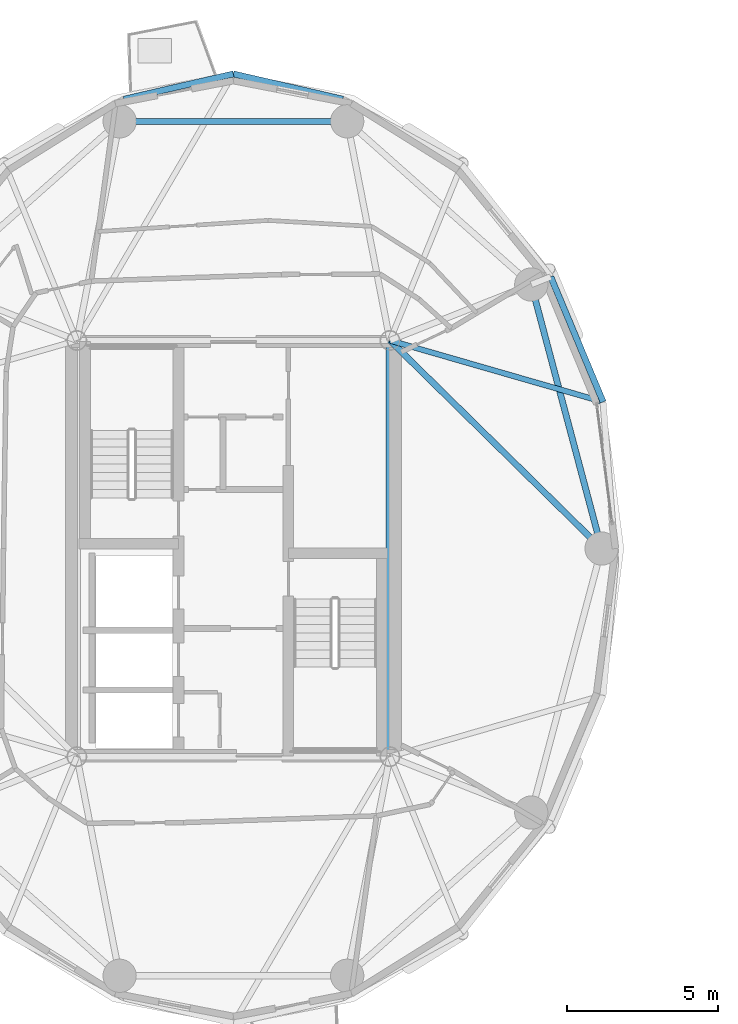
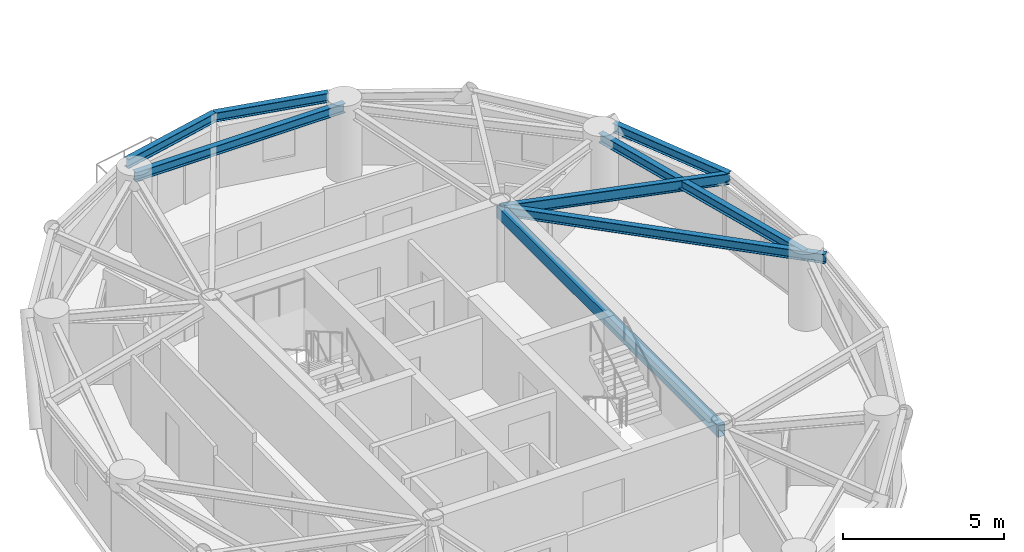
# One storey, part 2 of 16: 8 beams.
"""IFC4 building model written with IfcOpenShell, lengths in metres."""

import ifcopenshell
import ifcopenshell.guid

model = None  # the IFC model being written
_history = None  # IfcOwnerHistory: only IFC2X3 demands one
_inside = {}  # id of a spatial element -> (the spatial element, [elements in it])
_under = {}  # id of a project, library or spatial element -> (it, [spatial elements below it])
_declared = {}  # id of a project -> (the project, [libraries it declares])
_typed = {}  # id of a type object -> (the type object, [elements of that type])
_made_of = {}  # id of a material, layer set ... -> (it, [elements and type objects made of it])


def new_model(schema):
    """Start an empty IFC model of exactly this schema.

    Asked for "IFC4X3", IfcOpenShell would pick the latest addendum, in which some entities
    have other attributes; the version numbers below select the first issue.
    IFC2X3 requires an IfcOwnerHistory on every rooted entity: one is made here for all.
    """
    global model, _history
    if schema == "IFC4X3":
        model = ifcopenshell.file(schema_version=(4, 3, 0, 0))
    else:
        model = ifcopenshell.file(schema=schema)
    _inside.clear()
    _under.clear()
    _declared.clear()
    _typed.clear()
    _made_of.clear()
    _history = None
    if model.schema == "IFC2X3":
        org = make("IfcOrganization", Name="unknown")
        user = make(
            "IfcPersonAndOrganization",
            ThePerson=make("IfcPerson", FamilyName="unknown"),
            TheOrganization=org,
        )
        app = make(
            "IfcApplication",
            ApplicationDeveloper=org,
            Version="unknown",
            ApplicationFullName="unknown",
            ApplicationIdentifier="unknown",
        )
        _history = make(
            "IfcOwnerHistory",
            OwningUser=user,
            OwningApplication=app,
            ChangeAction="ADDED",
            CreationDate=0,
        )
    return model


def make(cls, **values):
    """One entity of the class cls with the attributes given. An attribute that is None is left unset."""
    return model.create_entity(
        cls, **{name: value for name, value in values.items() if value is not None}
    )


def rooted(cls, **values):
    """An entity with a GlobalId (a new one), such as an element, a storey or a relation."""
    return make(cls, GlobalId=ifcopenshell.guid.new(), OwnerHistory=_history, **values)


def si_unit(unit_type, name, prefix=None):
    """IfcSIUnit, for example si_unit("LENGTHUNIT", "METRE", prefix="MILLI")."""
    return make("IfcSIUnit", UnitType=unit_type, Prefix=prefix, Name=name)


def assignment(units):
    """IfcUnitAssignment: the units of a project."""
    return None if units is None else make("IfcUnitAssignment", Units=units)


def point(xyz):
    """IfcCartesianPoint."""
    return None if xyz is None else make("IfcCartesianPoint", Coordinates=xyz)


def direction(xyz):
    """IfcDirection."""
    return None if xyz is None else make("IfcDirection", DirectionRatios=xyz)


def frame(location, z_axis=None, x_axis=None):
    """IfcAxis2Placement3D, a coordinate frame: its origin and axes. An axis left out is left unset."""
    return make(
        "IfcAxis2Placement3D",
        Location=point(location),
        Axis=direction(z_axis),
        RefDirection=direction(x_axis),
    )


def frame_2d(location, x_axis=None):
    """IfcAxis2Placement2D, a coordinate frame in the plane: its origin and x axis."""
    return make(
        "IfcAxis2Placement2D", Location=point(location), RefDirection=direction(x_axis)
    )


def origin():
    """The frame at (0, 0, 0) with its axes left unset."""
    return frame((0.0, 0.0, 0.0))


def origin_2d():
    """The frame at (0, 0) in the plane with its x axis left unset."""
    return frame_2d((0.0, 0.0))


def place(relative_to, where):
    """IfcLocalPlacement: puts the frame where relative to a parent placement (None: the world)."""
    return make(
        "IfcLocalPlacement", PlacementRelTo=relative_to, RelativePlacement=where
    )


def context(
    kind, dimensions, precision=None, world=None, true_north=None, identifier=None
):
    """IfcGeometricRepresentationContext, for example the 3D "Model" context."""
    return make(
        "IfcGeometricRepresentationContext",
        ContextIdentifier=identifier,
        ContextType=kind,
        CoordinateSpaceDimension=dimensions,
        Precision=precision,
        WorldCoordinateSystem=world,
        TrueNorth=true_north,
    )


def subcontext(parent, identifier, kind, view, scale=None):
    """IfcGeometricRepresentationSubContext, for example "Body" below "Model"."""
    return make(
        "IfcGeometricRepresentationSubContext",
        ContextIdentifier=identifier,
        ContextType=kind,
        ParentContext=parent,
        TargetScale=scale,
        TargetView=view,
    )


def project(units=None, contexts=None):
    """IfcProject with its units and contexts."""
    return rooted(
        "IfcProject",
        Name="project",
        RepresentationContexts=contexts,
        UnitsInContext=assignment(units),
    )


def spatial(cls, under=None, at=None, **own):
    """A site, building, storey or space (cls), placed at a placement, below another one or the project."""
    s = rooted(cls, ObjectPlacement=at, **own)
    if under is not None:
        _under.setdefault(under.id(), (under, []))[1].append(s)
    return s


def profile(cls, at=None, kind="AREA", **sizes):
    """A parametric profile (cls). Its sizes go by their IFC names, for example OverallWidth=200.0."""
    return make(cls, ProfileType=kind, Position=at, **sizes)


def hollow_rectangle(**sizes):
    """IfcRectangleHollowProfileDef."""
    return profile("IfcRectangleHollowProfileDef", **sizes)


def i_section(**sizes):
    """IfcIShapeProfileDef."""
    return profile("IfcIShapeProfileDef", **sizes)


def extrude(swept, where, along, depth):
    """IfcExtrudedAreaSolid: the profile swept, set in the frame where, extruded along a direction by depth."""
    return make(
        "IfcExtrudedAreaSolid",
        SweptArea=swept,
        Position=where,
        ExtrudedDirection=direction(along),
        Depth=depth,
    )


def shape(context_of_items, identifier, shape_type, items):
    """IfcShapeRepresentation: the items that make up one representation, for example the "Body"."""
    return make(
        "IfcShapeRepresentation",
        ContextOfItems=context_of_items,
        RepresentationIdentifier=identifier,
        RepresentationType=shape_type,
        Items=items,
    )


def material(Name=None, Category=None):
    """IfcMaterial."""
    return make("IfcMaterial", Name=Name, Category=Category)


def material_profile(
    of_material, cross_section, Name=None, Category=None, Priority=None
):
    """IfcMaterialProfile: a cross section and its material."""
    return make(
        "IfcMaterialProfile",
        Name=Name,
        Material=of_material,
        Profile=cross_section,
        Priority=Priority,
        Category=Category,
    )


def profile_set(profiles, Name=None, composite=None):
    """IfcMaterialProfileSet."""
    return make(
        "IfcMaterialProfileSet",
        Name=Name,
        MaterialProfiles=profiles,
        CompositeProfile=composite,
    )


def made_of(thing, what):
    """Note that an element or type object is made of a material, layer set ...; save() writes the relation."""
    if what is not None:
        _made_of.setdefault(what.id(), (what, []))[1].append(thing)
    return thing


def type_object(cls, material=None, **own):
    """A type object (cls), such as IfcWallType, which elements share."""
    return made_of(rooted(cls, **own), material)


def element(
    cls,
    number,
    at=None,
    inside=None,
    cuts=None,
    type_object=None,
    material=None,
    context=None,
    identifier="Body",
    shape_type=None,
    held_by="IfcProductDefinitionShape",
    body=None,
    shapes=None,
    **own,
):
    """One element of the class cls, such as IfcWall. Its Tag is "e" and its number.

    at: its placement. inside: the storey or other place that contains it. cuts: it is an
    opening in that element (IfcRelVoidsElement). A single representation is given by context,
    identifier, shape_type and body (its items); several are given by shapes. held_by: the class
    of the entity that holds the representations. save() writes the other relations.
    """
    e = rooted(cls, Tag="e%d" % number, ObjectPlacement=at, **own)
    if body is not None:
        shapes = [shape(context, identifier, shape_type, body)]
    if shapes is not None:
        e.Representation = make(held_by, Representations=shapes)
    if inside is not None:
        _inside.setdefault(inside.id(), (inside, []))[1].append(e)
    if cuts is not None:
        rooted(
            "IfcRelVoidsElement", RelatingBuildingElement=cuts, RelatedOpeningElement=e
        )
    if type_object is not None:
        _typed.setdefault(type_object.id(), (type_object, []))[1].append(e)
    return made_of(e, material)


def aggregate(whole, parts):
    """IfcRelAggregates: a whole, such as a stair, and the parts it consists of."""
    return rooted("IfcRelAggregates", RelatingObject=whole, RelatedObjects=parts)


def save(model, path):
    """Write the relations noted so far, then the file.

    IfcRelAggregates (storeys below a building ...), IfcRelContainedInSpatialStructure (elements
    in a storey), IfcRelDefinesByType, IfcRelAssociatesMaterial and IfcRelDeclares: one each for
    every whole, place, type object, material and project.
    """
    for whole, parts in _under.values():
        aggregate(whole, parts)
    for where, things in _inside.values():
        rooted(
            "IfcRelContainedInSpatialStructure",
            RelatedElements=things,
            RelatingStructure=where,
        )
    for kind, things in _typed.values():
        rooted("IfcRelDefinesByType", RelatedObjects=things, RelatingType=kind)
    for what, things in _made_of.values():
        rooted("IfcRelAssociatesMaterial", RelatedObjects=things, RelatingMaterial=what)
    for by, libraries in _declared.values():
        rooted("IfcRelDeclares", RelatingContext=by, RelatedDefinitions=libraries)
    model.write(path)


model = new_model("IFC4")

# Units and contexts
model_context = context("Model", 3, precision=1e-05, world=origin(), true_north=direction((0.0, 1.0)))
body_context = subcontext(model_context, "Body", "Model", "MODEL_VIEW")
ifc_project = project(units=[si_unit("LENGTHUNIT", "METRE"), si_unit("AREAUNIT", "SQUARE_METRE"), si_unit("VOLUMEUNIT", "CUBIC_METRE"), si_unit("PLANEANGLEUNIT", "RADIAN"), si_unit("MASSUNIT", "GRAM", prefix="KILO")], contexts=[model_context])

# Site, building, storey
site_placement = place(None, origin())
site = spatial("IfcSite", under=ifc_project, at=site_placement, CompositionType="ELEMENT")
building_placement = place(site_placement, origin())
building = spatial("IfcBuilding", under=site, at=building_placement, Name="Cununo Teusaquillo Station Towers", CompositionType="ELEMENT")
storey_placement = place(building_placement, frame((0.0, 0.0, 217.030029296875)))
storey = spatial("IfcBuildingStorey", under=building, at=storey_placement, Name="L69", CompositionType="ELEMENT", Elevation=217.030029296875)

# Beams
ifc_material_1 = material(Name="Steel EN 10025-2 S355J2", Category="steel")
ifc_material_profile_1 = material_profile(ifc_material_1, hollow_rectangle(XDim=0.25, YDim=0.449951171875, WallThickness=0.01611328125, at=origin_2d()), Name="RHS 450x250x16")
ifc_profile_set_1 = profile_set([ifc_material_profile_1], Name="Steel EN 10025-2 S355J2")
beam_type_1 = type_object("IfcBeamType", Name="BM-COUP-1", PredefinedType="USERDEFINED", material=ifc_profile_set_1)
beam_1_placement = place(storey_placement, frame((21.675048828125, 17.6201171875, 2.474853515625), z_axis=(0.0, 1.0, 0.0), x_axis=(-1.0, 0.0, 0.0)))
element("IfcBeam", 1, at=beam_1_placement, inside=storey, type_object=beam_type_1, Name="L69 Tower A Core Beam 2", ObjectType="COUPLING BEAM", PredefinedType="USERDEFINED", context=body_context, shape_type="SweptSolid", body=[
    extrude(hollow_rectangle(XDim=0.25, YDim=0.449951171875, WallThickness=0.01611328125, at=origin_2d()), origin(), (0.0, 0.0, 1.0), 13.759765625),
])
ifc_material_2 = material(Name="Steel ASTM A572 Grade 50", Category="steel")
ifc_material_profile_2 = material_profile(ifc_material_2, i_section(OverallWidth=0.180908203125, OverallDepth=0.4169921875, WebThickness=0.010986328125, FlangeThickness=0.018310546875, FilletRadius=0.012939453125, at=origin_2d()), Name="W16X57")
ifc_profile_set_2 = profile_set([ifc_material_profile_2], Name="Steel ASTM A572 Grade 50")
beam_type_2 = type_object("IfcBeamType", Name="BM-JOIST-1", PredefinedType="JOIST", material=ifc_profile_set_2)
beam_2_placement = place(storey_placement, frame((21.675048828125, 31.3798828125, 2.491455078125), z_axis=(0.960861603375, -0.277028841748, 0.0), x_axis=(0.277028841748, 0.960861603375, 0.0)))
element("IfcBeam", 2, at=beam_2_placement, inside=storey, type_object=beam_type_2, Name="L69 Tower A Radial Spandrel Joist V01", PredefinedType="JOIST", context=body_context, shape_type="SweptSolid", body=[
    extrude(i_section(OverallWidth=0.180908203125, OverallDepth=0.4169921875, WebThickness=0.010986328125, FlangeThickness=0.018310546875, FilletRadius=0.012939453125, at=origin_2d()), origin(), (0.0, 0.0, 1.0), 7.333251953125),
])
ifc_material_3 = material(Name="Steel ASTM A572 Grade 50", Category="steel")
ifc_material_profile_3 = material_profile(ifc_material_3, i_section(OverallWidth=0.2041015625, OverallDepth=0.35009765625, WebThickness=0.008544921875, FlangeThickness=0.01513671875, FilletRadius=0.011962890625, at=origin_2d()), Name="W14X48")
ifc_profile_set_3 = profile_set([ifc_material_profile_3], Name="Steel ASTM A572 Grade 50")
beam_type_3 = type_object("IfcBeamType", Name="BM-RAD-G3", PredefinedType="BEAM", material=ifc_profile_set_3)
beam_3_placement = place(storey_placement, frame((21.675048828125, 31.3798828125, 2.52490234375), z_axis=(0.713043510712, -0.701119784225, 0.0), x_axis=(0.701119784225, 0.713043510712, 0.0)))
element("IfcBeam", 3, at=beam_3_placement, inside=storey, type_object=beam_type_3, Name="L69 Tower A Continuous Overhanging Radial Girder 01", PredefinedType="BEAM", context=body_context, shape_type="SweptSolid", body=[
    extrude(i_section(OverallWidth=0.2041015625, OverallDepth=0.35009765625, WebThickness=0.008544921875, FlangeThickness=0.01513671875, FilletRadius=0.011962890625, at=origin_2d()), origin(), (0.0, 0.0, 1.0), 10.462890625),
])
ifc_material_4 = material(Name="Steel ASTM A572 Grade 50", Category="steel")
ifc_material_profile_4 = material_profile(ifc_material_4, i_section(OverallWidth=0.2041015625, OverallDepth=0.35009765625, WebThickness=0.008544921875, FlangeThickness=0.01513671875, FilletRadius=0.011962890625, at=origin_2d()), Name="W14X48")
ifc_profile_set_4 = profile_set([ifc_material_profile_4], Name="Steel ASTM A572 Grade 50")
beam_type_4 = type_object("IfcBeamType", Name="BM-RING-Z4", PredefinedType="SPANDREL", material=ifc_profile_set_4)
beam_4_placement = place(storey_placement, frame((28.672119140625, 24.5, 2.52490234375), z_axis=(-0.257363196347, 0.966314744359, 0.0), x_axis=(-0.966314744359, -0.257363196347, 0.0)))
element("IfcBeam", 4, at=beam_4_placement, inside=storey, type_object=beam_type_4, Name="L69 Tower A Structural Column Ring Girder 01", PredefinedType="SPANDREL", context=body_context, shape_type="SweptSolid", body=[
    extrude(i_section(OverallWidth=0.2041015625, OverallDepth=0.35009765625, WebThickness=0.008544921875, FlangeThickness=0.01513671875, FilletRadius=0.011962890625, at=origin_2d()), origin(), (0.0, 0.0, 1.0), 9.03271484375),
])
beam_5_placement = place(storey_placement, frame((20.261474609375, 38.623291015625, 2.52490234375), z_axis=(-1.0, 0.0, 0.0), x_axis=(0.0, -1.0, 0.0)))
element("IfcBeam", 5, at=beam_5_placement, inside=storey, type_object=beam_type_4, Name="L69 Tower A Structural Column Ring Girder 03", PredefinedType="SPANDREL", context=body_context, shape_type="SweptSolid", body=[
    extrude(i_section(OverallWidth=0.2041015625, OverallDepth=0.35009765625, WebThickness=0.008544921875, FlangeThickness=0.01513671875, FilletRadius=0.011962890625, at=origin_2d()), origin(), (0.0, 0.0, 1.0), 7.52294921875),
])
beam_6_placement = place(storey_placement, frame((28.72119140625, 29.348388671875, 2.52490234375), z_axis=(-0.386115454066, 0.922450462698, 0.0), x_axis=(-0.922450462698, -0.386115454066, 0.0)))
element("IfcBeam", 6, at=beam_6_placement, inside=storey, type_object=beam_type_4, Name="L69 Tower A Spandrel Ring Beam 02", PredefinedType="SPANDREL", context=body_context, shape_type="SweptSolid", body=[
    extrude(i_section(OverallWidth=0.2041015625, OverallDepth=0.35009765625, WebThickness=0.008544921875, FlangeThickness=0.01513671875, FilletRadius=0.011962890625, at=origin_2d()), origin(), (0.0, 0.0, 1.0), 4.482421875),
])
for number, where, z_axis, x_axis, name in (
    (7, (20.118896484375, 39.353515625, 2.52490234375), (-0.97431470066, 0.225190728224, 0.0), (-0.225190728224, -0.97431470066, 0.0), "L69 Tower A Spandrel Ring Beam 05"),
    (8, (16.5, 40.18994140625, 2.52490234375), (-0.97431470066, -0.225190728224, 0.0), (0.225190728224, -0.97431470066, 0.0), "L69 Tower A Spandrel Ring Beam 06"),
):
    element("IfcBeam", number, at=place(storey_placement, frame(where, z_axis=z_axis, x_axis=x_axis)), inside=storey, type_object=beam_type_4, Name=name, PredefinedType="SPANDREL", context=body_context, shape_type="SweptSolid", body=[
        extrude(i_section(OverallWidth=0.2041015625, OverallDepth=0.35009765625, WebThickness=0.008544921875, FlangeThickness=0.01513671875, FilletRadius=0.011962890625, at=origin_2d()), origin(), (0.0, 0.0, 1.0), 3.71435546875),
    ])

save(model, "model.ifc")
